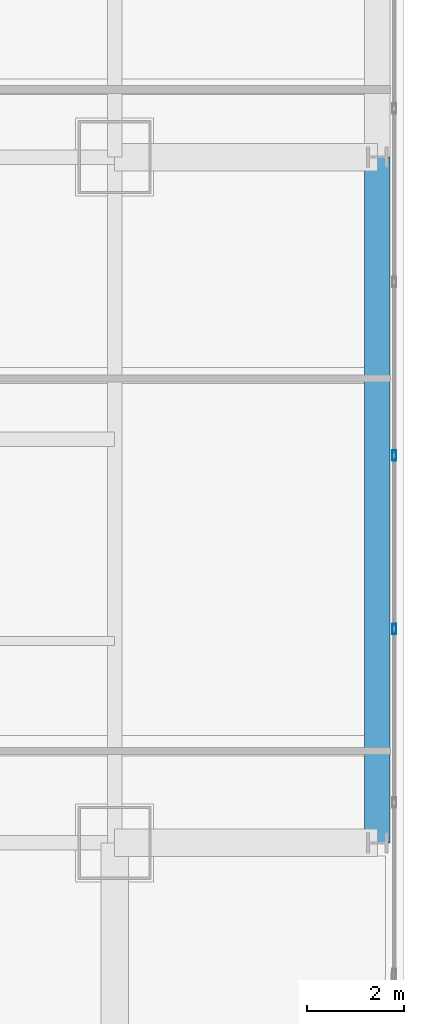
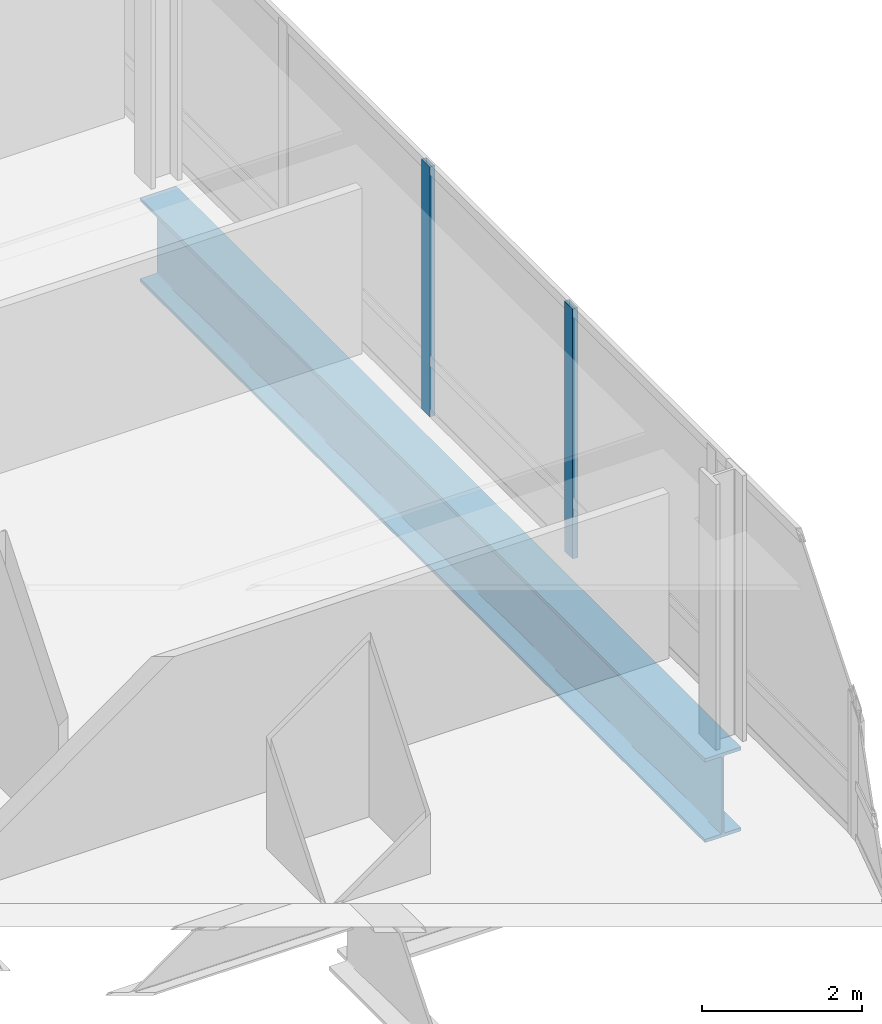
# One storey, part 14 of 34: 2 members, 1 beam, 1 element without a shape of its own.
"""IFC4 building model written with IfcOpenShell, lengths in metres."""

from ifc_helpers import new_model, si_unit, direction, frame, origin, origin_2d, place, context, subcontext, project, spatial, hollow_rectangle, i_section, extrude, material, material_profile, profile_set, type_object, element, aggregate, save


model = new_model("IFC4")

# Units and contexts
model_context = context("Model", 3, precision=1e-05, world=origin(), true_north=direction((0.0, 1.0)))
body_context = subcontext(model_context, "Body", "Model", "MODEL_VIEW")
ifc_project = project(units=[si_unit("LENGTHUNIT", "METRE"), si_unit("AREAUNIT", "SQUARE_METRE"), si_unit("VOLUMEUNIT", "CUBIC_METRE"), si_unit("PLANEANGLEUNIT", "RADIAN"), si_unit("MASSUNIT", "GRAM", prefix="KILO")], contexts=[model_context])

# Site, building, storey
site_placement = place(None, origin())
site = spatial("IfcSite", under=ifc_project, at=site_placement, CompositionType="ELEMENT")
building_placement = place(site_placement, origin())
building = spatial("IfcBuilding", under=site, at=building_placement, Name="Punatoya Terracotta Tower", CompositionType="ELEMENT")
storey_placement = place(building_placement, frame((0.0, 0.0, 84.89990234375)))
storey = spatial("IfcBuildingStorey", under=building, at=storey_placement, Name="L19", CompositionType="ELEMENT", Elevation=84.89990234375)

# Beam
ifc_material_1 = material(Name="Steel S460", Category="steel")
ifc_material_profile_1 = material_profile(ifc_material_1, i_section(OverallWidth=0.52001953125, OverallDepth=1.280029296875, WebThickness=0.031982421875, FlangeThickness=0.050048828125, FilletRadius=0.01806640625, at=origin_2d()))
ifc_profile_set_1 = profile_set([ifc_material_profile_1], Name="Steel S460")
beam_type = type_object("IfcBeamType", Name="BM-TG-NCK", PredefinedType="BEAM", material=ifc_profile_set_1)
beam_placement = place(storey_placement, frame((24.5, -17.5, -0.8798828125), z_axis=(0.0, 1.0, 0.0), x_axis=(-1.0, 0.0, 0.0)))
element("IfcBeam", 1, at=beam_placement, inside=storey, type_object=beam_type, Name="BM-L19-PER-E1", PredefinedType="BEAM", context=body_context, shape_type="SweptSolid", body=[
    extrude(i_section(OverallWidth=0.52001953125, OverallDepth=1.280029296875, WebThickness=0.031982421875, FlangeThickness=0.050048828125, FilletRadius=0.01806640625, at=origin_2d()), origin(), (0.0, 0.0, 1.0), 14.10009765625),
])

# Curtain wall, members
ifc_material_2 = material(Name="Aluminium 6063-T6 + Double Low-E Glass", Category="aluminium")
curtain_wall_type = type_object("IfcCurtainWallType", Name="CW-M1", PredefinedType="NOTDEFINED", material=ifc_material_2)
curtain_wall_placement = place(storey_placement, origin())
curtain_wall = element("IfcCurtainWall", 2, at=curtain_wall_placement, inside=storey, type_object=curtain_wall_type, Name="L19 Curtain Wall CW-L19-E05-1", PredefinedType="NOTDEFINED")
ifc_material_3 = material(Name="Aluminium 6063-T6", Category="aluminium")
ifc_material_profile_2 = material_profile(ifc_material_3, hollow_rectangle(XDim=0.074951171875, YDim=0.2099609375, WallThickness=0.00439453125, at=origin_2d()))
ifc_profile_set_2 = profile_set([ifc_material_profile_2], Name="Aluminium 6063-T6")
member_type = type_object("IfcMemberType", Name="CW-MUL-M1", PredefinedType="MULLION", material=ifc_profile_set_2)
member_1_placement = place(storey_placement, frame((24.85009765625, -13.10205078125, 0.0), z_axis=(0.0, 0.0, 1.0), x_axis=(1.0, 0.0, 0.0)))
member_1 = element("IfcMember", 3, at=member_1_placement, type_object=member_type, Name="CW-L19-E05-1 Mullion 02", PredefinedType="MULLION", context=body_context, shape_type="SweptSolid", body=[
    extrude(hollow_rectangle(XDim=0.074951171875, YDim=0.2099609375, WallThickness=0.00439453125, at=origin_2d()), origin(), (0.0, 0.0, 1.0), 3.81005859375),
])
member_2_placement = place(storey_placement, frame((24.85009765625, -9.534912109375, 0.0), z_axis=(0.0, 0.0, 1.0), x_axis=(1.0, 0.0, 0.0)))
member_2 = element("IfcMember", 4, at=member_2_placement, type_object=member_type, Name="CW-L19-E05-1 Mullion 03", PredefinedType="MULLION", context=body_context, shape_type="SweptSolid", body=[
    extrude(hollow_rectangle(XDim=0.074951171875, YDim=0.2099609375, WallThickness=0.00439453125, at=origin_2d()), origin(), (0.0, 0.0, 1.0), 3.81005859375),
])
aggregate(curtain_wall, [member_1, member_2])

save(model, "model.ifc")
